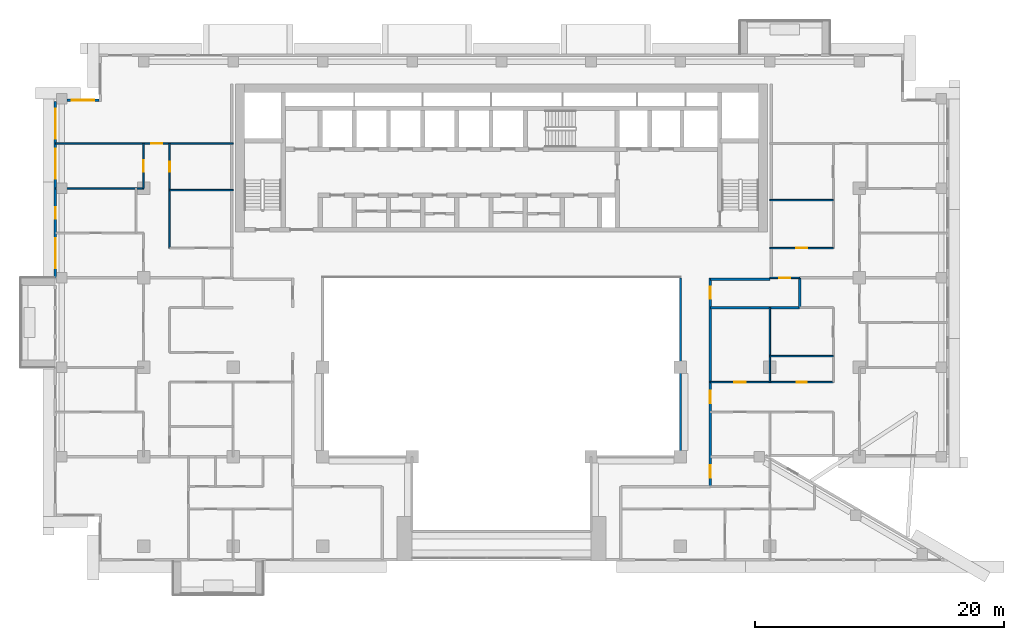
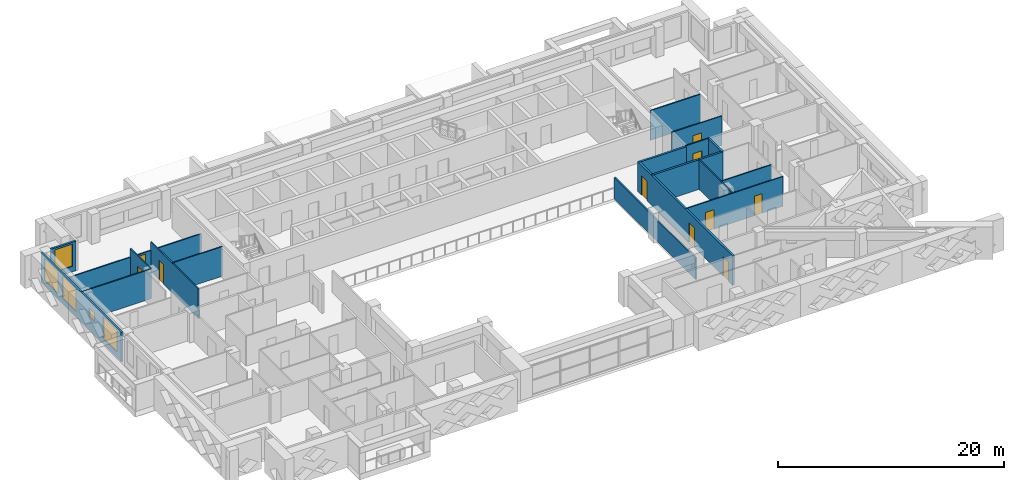
# One storey, part 9 of 20: 18 walls, 10 doors, 5 windows, 15 openings.
"""IFC4 building model written with IfcOpenShell, lengths in metres."""

from ifc_helpers import new_model, si_unit, direction, frame, frame_2d, origin, place, context, subcontext, project, spatial, rectangle, extrude, material, layer, layer_set, type_object, element, fill, save


model = new_model("IFC4")

# Units and contexts
model_context = context("Model", 3, precision=1e-05, world=origin(), true_north=direction((0.0, 1.0)))
body_context = subcontext(model_context, "Body", "Model", "MODEL_VIEW")
ifc_project = project(units=[si_unit("LENGTHUNIT", "METRE"), si_unit("AREAUNIT", "SQUARE_METRE"), si_unit("VOLUMEUNIT", "CUBIC_METRE"), si_unit("PLANEANGLEUNIT", "RADIAN"), si_unit("MASSUNIT", "GRAM", prefix="KILO")], contexts=[model_context])

# Site, building, storey
site_placement = place(None, origin())
site = spatial("IfcSite", under=ifc_project, at=site_placement, CompositionType="ELEMENT")
building_placement = place(site_placement, origin())
building = spatial("IfcBuilding", under=site, at=building_placement, Name="Saffron Iwan Residences", CompositionType="ELEMENT")
storey_placement = place(building_placement, frame((0.0, 0.0, 164.0)))
storey = spatial("IfcBuildingStorey", under=building, at=storey_placement, Name="L43", CompositionType="ELEMENT", Elevation=164.0)

# Wall
ifc_material_1 = material(Name="Fire-rated glazing", Category="glass")
ifc_layer_1 = layer(ifc_material_1, 0.14990234375)
ifc_layer_set_1 = layer_set([ifc_layer_1], Name="Fire-rated glazing")
wall_type_1 = type_object("IfcWallType", Name="Atrium glazed screen 150", PredefinedType="SOLIDWALL", material=ifc_layer_set_1)
wall_1_placement = place(storey_placement, frame((64.800048828125, 48.0, 0.0), z_axis=(0.0, 0.0, 1.0), x_axis=(0.0, 1.0, 0.0)))
element("IfcWall", 1, at=wall_1_placement, inside=storey, type_object=wall_type_1, Name="W-L43-SCREEN-v64.8-48", PredefinedType="SOLIDWALL", context=body_context, shape_type="SweptSolid", body=[
    extrude(rectangle(XDim=14.39990234375, YDim=0.14990234375, at=frame_2d((7.199951171875, 0.0))), origin(), (0.0, 0.0, 1.0), 2.300048828125),
])

# Wall, opening, window
ifc_material_2 = material(Name="Concrete C40/50", Category="concrete")
ifc_layer_2 = layer(ifc_material_2, 0.199951171875)
ifc_layer_set_2 = layer_set([ifc_layer_2], Name="Concrete C40/50")
wall_type_2 = type_object("IfcWallType", Name="EXTERNAL WALL 200", PredefinedType="SOLIDWALL", material=ifc_layer_set_2)
wall_2_placement = place(storey_placement, frame((18.0, 76.699951171875, 0.0), z_axis=(0.0, 0.0, 1.0), x_axis=(-1.0, 0.0, 0.0)))
wall_2 = element("IfcWall", 2, at=wall_2_placement, inside=storey, type_object=wall_type_2, Name="External wall L43 F7.0", PredefinedType="SOLIDWALL", context=body_context, shape_type="SweptSolid", body=[
    extrude(rectangle(XDim=2.574951171875, YDim=0.199951171875, at=frame_2d((1.28759765625, 0.0))), origin(), (0.0, 0.0, 1.0), 3.199951171875),
])
opening_1_placement = place(wall_2_placement, frame((0.387451171875, 0.0, 0.60009765625)))
opening_1 = element("IfcOpeningElement", 3, at=opening_1_placement, cuts=wall_2, Name="Opening W8", PredefinedType="OPENING", context=body_context, shape_type="SweptSolid", body=[
    extrude(rectangle(XDim=1.800048828125, YDim=2.39990234375, at=frame_2d((0.89990234375, 1.199951171875))), frame((0.0, 0.10986328125, 0.0), z_axis=(0.0, -1.0, 0.0), x_axis=(1.0, 0.0, 0.0)), (0.0, 0.0, 1.0), 0.219970703125),
])
ifc_material_3 = material(Name="Clear glass, laminated double glazed", Category="glass")
window_type_1 = type_object("IfcWindowType", Name="WINDOW 1800 x 2400", PartitioningType="DOUBLE_PANEL_VERTICAL", PredefinedType="WINDOW", material=ifc_material_3)
window_1_placement = place(opening_1_placement, origin())
window_1 = element("IfcWindow", 4, at=window_1_placement, inside=storey, type_object=window_type_1, Name="Window L43 F7.0", OverallHeight=2.39990234375, OverallWidth=1.800048828125, PartitioningType="DOUBLE_PANEL_VERTICAL", PredefinedType="WINDOW", context=body_context, shape_type="SweptSolid", body=[
    extrude(rectangle(XDim=1.800048828125, YDim=2.39990234375, at=frame_2d((0.89990234375, 1.199951171875))), frame((0.0, 0.030029296875, 0.0), z_axis=(0.0, -1.0, 0.0), x_axis=(1.0, 0.0, 0.0)), (0.0, 0.0, 1.0), 0.06005859375),
])
fill(opening_1, window_1)

# Wall, openings, windows
wall_3_placement = place(storey_placement, frame((14.5, 76.60009765625, 0.0), z_axis=(0.0, 0.0, 1.0), x_axis=(0.0, -1.0, 0.0)))
wall_3 = element("IfcWall", 5, at=wall_3_placement, inside=storey, type_object=wall_type_2, Name="External wall L43 F8.0", PredefinedType="SOLIDWALL", context=body_context, shape_type="SweptSolid", body=[
    extrude(rectangle(XDim=14.2001953125, YDim=0.199951171875, at=frame_2d((7.10009765625, 0.0))), origin(), (0.0, 0.0, 1.0), 3.199951171875),
])
opening_2_placement = place(wall_3_placement, frame((11.012451171875, 0.0, 0.60009765625)))
opening_2 = element("IfcOpeningElement", 6, at=opening_2_placement, cuts=wall_3, Name="Opening W1", PredefinedType="OPENING", context=body_context, shape_type="SweptSolid", body=[
    extrude(rectangle(XDim=2.39990234375, YDim=2.39990234375, at=frame_2d((1.199951171875, 1.199951171875))), frame((0.0, 0.10986328125, 0.0), z_axis=(0.0, -1.0, 0.0), x_axis=(1.0, 0.0, 0.0)), (0.0, 0.0, 1.0), 0.219970703125),
])
opening_3_placement = place(wall_3_placement, frame((8.53759765625, 0.0, 1.5)))
opening_3 = element("IfcOpeningElement", 7, at=opening_3_placement, cuts=wall_3, Name="Opening W6", PredefinedType="OPENING", context=body_context, shape_type="SweptSolid", body=[
    extrude(rectangle(XDim=0.89990234375, YDim=0.89990234375, at=frame_2d((0.449951171875, 0.449951171875))), frame((0.0, 0.10986328125, 0.0), z_axis=(0.0, -1.0, 0.0), x_axis=(1.0, 0.0, 0.0)), (0.0, 0.0, 1.0), 0.219970703125),
])
opening_4_placement = place(wall_3_placement, frame((3.8125, 0.0, 0.60009765625)))
opening_4 = element("IfcOpeningElement", 8, at=opening_4_placement, cuts=wall_3, Name="Opening W1", PredefinedType="OPENING", context=body_context, shape_type="SweptSolid", body=[
    extrude(rectangle(XDim=2.39990234375, YDim=2.39990234375, at=frame_2d((1.199951171875, 1.199951171875))), frame((0.0, 0.10986328125, 0.0), z_axis=(0.0, -1.0, 0.0), x_axis=(1.0, 0.0, 0.0)), (0.0, 0.0, 1.0), 0.219970703125),
])
opening_5_placement = place(wall_3_placement, frame((0.60009765625, 0.0, 0.60009765625)))
opening_5 = element("IfcOpeningElement", 9, at=opening_5_placement, cuts=wall_3, Name="Opening W1", PredefinedType="OPENING", context=body_context, shape_type="SweptSolid", body=[
    extrude(rectangle(XDim=2.39990234375, YDim=2.39990234375, at=frame_2d((1.199951171875, 1.199951171875))), frame((0.0, 0.10986328125, 0.0), z_axis=(0.0, -1.0, 0.0), x_axis=(1.0, 0.0, 0.0)), (0.0, 0.0, 1.0), 0.219970703125),
])
window_type_2 = type_object("IfcWindowType", Name="WINDOW 2400 x 2400", PartitioningType="DOUBLE_PANEL_VERTICAL", PredefinedType="WINDOW", material=ifc_material_3)
window_2_placement = place(opening_2_placement, origin())
window_2 = element("IfcWindow", 10, at=window_2_placement, inside=storey, type_object=window_type_2, Name="Window L43 F8.0", OverallHeight=2.39990234375, OverallWidth=2.39990234375, PartitioningType="DOUBLE_PANEL_VERTICAL", PredefinedType="WINDOW", context=body_context, shape_type="SweptSolid", body=[
    extrude(rectangle(XDim=2.39990234375, YDim=2.39990234375, at=frame_2d((1.199951171875, 1.199951171875))), frame((0.0, 0.030029296875, 0.0), z_axis=(0.0, -1.0, 0.0), x_axis=(1.0, 0.0, 0.0)), (0.0, 0.0, 1.0), 0.06005859375),
])
fill(opening_2, window_2)
window_3_placement = place(opening_4_placement, origin())
window_3 = element("IfcWindow", 11, at=window_3_placement, inside=storey, type_object=window_type_2, Name="Window L43 F8.2", OverallHeight=2.39990234375, OverallWidth=2.39990234375, PartitioningType="DOUBLE_PANEL_VERTICAL", PredefinedType="WINDOW", context=body_context, shape_type="SweptSolid", body=[
    extrude(rectangle(XDim=2.39990234375, YDim=2.39990234375, at=frame_2d((1.199951171875, 1.199951171875))), frame((0.0, 0.030029296875, 0.0), z_axis=(0.0, -1.0, 0.0), x_axis=(1.0, 0.0, 0.0)), (0.0, 0.0, 1.0), 0.06005859375),
])
fill(opening_4, window_3)
window_4_placement = place(opening_5_placement, origin())
window_4 = element("IfcWindow", 12, at=window_4_placement, inside=storey, type_object=window_type_2, Name="Window L43 F8.3", OverallHeight=2.39990234375, OverallWidth=2.39990234375, PartitioningType="DOUBLE_PANEL_VERTICAL", PredefinedType="WINDOW", context=body_context, shape_type="SweptSolid", body=[
    extrude(rectangle(XDim=2.39990234375, YDim=2.39990234375, at=frame_2d((1.199951171875, 1.199951171875))), frame((0.0, 0.030029296875, 0.0), z_axis=(0.0, -1.0, 0.0), x_axis=(1.0, 0.0, 0.0)), (0.0, 0.0, 1.0), 0.06005859375),
])
fill(opening_5, window_4)
window_type_3 = type_object("IfcWindowType", Name="WINDOW 900 x 900 BATH", PartitioningType="SINGLE_PANEL", PredefinedType="WINDOW", material=ifc_material_3)
window_5_placement = place(opening_3_placement, origin())
window_5 = element("IfcWindow", 13, at=window_5_placement, inside=storey, type_object=window_type_3, Name="Window L43 F8.1", OverallHeight=0.89990234375, OverallWidth=0.89990234375, PartitioningType="SINGLE_PANEL", PredefinedType="WINDOW", context=body_context, shape_type="SweptSolid", body=[
    extrude(rectangle(XDim=0.89990234375, YDim=0.89990234375, at=frame_2d((0.449951171875, 0.449951171875))), frame((0.0, 0.030029296875, 0.0), z_axis=(0.0, -1.0, 0.0), x_axis=(1.0, 0.0, 0.0)), (0.0, 0.0, 1.0), 0.06005859375),
])
fill(opening_3, window_5)

# Walls
ifc_material_4 = material(Name="Fire-rated gypsum board wall")
ifc_layer_3 = layer(ifc_material_4, 0.199951171875)
ifc_layer_set_3 = layer_set([ifc_layer_3], Name="Fire-rated gypsum board wall")
wall_type_3 = type_object("IfcWallType", Name="Flat demising wall 200", PredefinedType="SOLIDWALL", material=ifc_layer_set_3)
wall_4_placement = place(storey_placement, frame((67.199951171875, 60.0, 0.0), z_axis=(0.0, 0.0, 1.0), x_axis=(1.0, 0.0, 0.0)))
element("IfcWall", 14, at=wall_4_placement, inside=storey, type_object=wall_type_3, Name="W-L43-DEMISE-h60-67.2", PredefinedType="SOLIDWALL", context=body_context, shape_type="SweptSolid", body=[
    extrude(rectangle(XDim=7.199951171875, YDim=0.199951171875, at=frame_2d((3.60009765625, 0.0))), origin(), (0.0, 0.0, 1.0), 3.199951171875),
])
wall_5_placement = place(storey_placement, frame((74.39990234375, 60.0, 0.0), z_axis=(0.0, 0.0, 1.0), x_axis=(0.0, 1.0, 0.0)))
element("IfcWall", 15, at=wall_5_placement, inside=storey, type_object=wall_type_3, Name="W-L43-DEMISE-v74.4-60", PredefinedType="SOLIDWALL", context=body_context, shape_type="SweptSolid", body=[
    extrude(rectangle(XDim=2.39990234375, YDim=0.199951171875, at=frame_2d((1.199951171875, 0.0))), origin(), (0.0, 0.0, 1.0), 3.199951171875),
])

# Wall, openings, doors
ifc_material_5 = material(Name="Gypsum board partition")
ifc_layer_4 = layer(ifc_material_5, 0.1201171875)
ifc_layer_set_4 = layer_set([ifc_layer_4], Name="Gypsum board partition")
wall_type_4 = type_object("IfcWallType", Name="Flat partition 120", PredefinedType="PARTITIONING", material=ifc_layer_set_4)
wall_6_placement = place(storey_placement, frame((67.199951171875, 54.0, 0.0), z_axis=(0.0, 0.0, 1.0), x_axis=(1.0, 0.0, 0.0)))
wall_6 = element("IfcWall", 16, at=wall_6_placement, inside=storey, type_object=wall_type_4, Name="W-L43-PART-h54-67.2", PredefinedType="PARTITIONING", context=body_context, shape_type="SweptSolid", body=[
    extrude(rectangle(XDim=9.900146484375, YDim=0.1201171875, at=frame_2d((4.9501953125, 0.0))), origin(), (0.0, 0.0, 1.0), 3.199951171875),
])
opening_6_placement = place(wall_6_placement, frame((6.949951171875, 0.0, 0.0)))
opening_6 = element("IfcOpeningElement", 17, at=opening_6_placement, cuts=wall_6, Name="Opening FD3", PredefinedType="OPENING", context=body_context, shape_type="SweptSolid", body=[
    extrude(rectangle(XDim=0.800048828125, YDim=2.10009765625, at=frame_2d((0.39990234375, 1.050048828125))), frame((0.0, 0.070068359375, 0.0), z_axis=(0.0, -1.0, 0.0), x_axis=(1.0, 0.0, 0.0)), (0.0, 0.0, 1.0), 0.14013671875),
])
opening_7_placement = place(wall_6_placement, frame((1.949951171875, 0.0, 0.0)))
opening_7 = element("IfcOpeningElement", 18, at=opening_7_placement, cuts=wall_6, Name="Opening FD2", PredefinedType="OPENING", context=body_context, shape_type="SweptSolid", body=[
    extrude(rectangle(XDim=0.89990234375, YDim=2.10009765625, at=frame_2d((0.449951171875, 1.050048828125))), frame((0.0, 0.070068359375, 0.0), z_axis=(0.0, -1.0, 0.0), x_axis=(1.0, 0.0, 0.0)), (0.0, 0.0, 1.0), 0.14013671875),
])
ifc_material_6 = material(Name="Timber door", Category="wood")
door_type_1 = type_object("IfcDoorType", Name="Bathroom door 800", OperationType="NOTDEFINED", PredefinedType="DOOR", material=ifc_material_6)
door_1_placement = place(opening_6_placement, origin())
door_1 = element("IfcDoor", 19, at=door_1_placement, inside=storey, type_object=door_type_1, Name="Door L43-021", OperationType="SINGLE_SWING_RIGHT", OverallHeight=2.10009765625, OverallWidth=0.800048828125, PredefinedType="DOOR", context=body_context, shape_type="SweptSolid", body=[
    extrude(rectangle(XDim=0.800048828125, YDim=2.10009765625, at=frame_2d((0.39990234375, 1.050048828125))), frame((0.0, 0.02490234375, 0.0), z_axis=(0.0, -1.0, 0.0), x_axis=(1.0, 0.0, 0.0)), (0.0, 0.0, 1.0), 0.050048828125),
])
fill(opening_6, door_1)
door_type_2 = type_object("IfcDoorType", Name="Flat door 900", OperationType="NOTDEFINED", PredefinedType="DOOR", material=ifc_material_6)
door_2_placement = place(opening_7_placement, origin())
door_2 = element("IfcDoor", 20, at=door_2_placement, inside=storey, type_object=door_type_2, Name="Door L43-024", OperationType="SINGLE_SWING_RIGHT", OverallHeight=2.10009765625, OverallWidth=0.89990234375, PredefinedType="DOOR", context=body_context, shape_type="SweptSolid", body=[
    extrude(rectangle(XDim=0.89990234375, YDim=2.10009765625, at=frame_2d((0.449951171875, 1.050048828125))), frame((0.0, 0.02490234375, 0.0), z_axis=(0.0, -1.0, 0.0), x_axis=(1.0, 0.0, 0.0)), (0.0, 0.0, 1.0), 0.050048828125),
])
fill(opening_7, door_2)

# Wall
wall_7_placement = place(storey_placement, frame((72.0, 56.10009765625, 0.0), z_axis=(0.0, 0.0, 1.0), x_axis=(1.0, 0.0, 0.0)))
element("IfcWall", 21, at=wall_7_placement, inside=storey, type_object=wall_type_4, Name="W-L43-PART-h56.1-72", PredefinedType="PARTITIONING", context=body_context, shape_type="SweptSolid", body=[
    extrude(rectangle(XDim=5.10009765625, YDim=0.1201171875, at=frame_2d((2.550048828125, 0.0))), origin(), (0.0, 0.0, 1.0), 3.199951171875),
])

# Wall, opening, door
wall_8_placement = place(storey_placement, frame((72.0, 62.39990234375, 0.0), z_axis=(0.0, 0.0, 1.0), x_axis=(1.0, 0.0, 0.0)))
wall_8 = element("IfcWall", 22, at=wall_8_placement, inside=storey, type_object=wall_type_4, Name="W-L43-PART-h62.4-72", PredefinedType="PARTITIONING", context=body_context, shape_type="SweptSolid", body=[
    extrude(rectangle(XDim=2.39990234375, YDim=0.1201171875, at=frame_2d((1.199951171875, 0.0))), origin(), (0.0, 0.0, 1.0), 3.199951171875),
])
opening_8_placement = place(wall_8_placement, frame((0.75, 0.0, 0.0)))
opening_8 = element("IfcOpeningElement", 23, at=opening_8_placement, cuts=wall_8, Name="Opening FD2", PredefinedType="OPENING", context=body_context, shape_type="SweptSolid", body=[
    extrude(rectangle(XDim=0.89990234375, YDim=2.10009765625, at=frame_2d((0.449951171875, 1.050048828125))), frame((0.0, 0.070068359375, 0.0), z_axis=(0.0, -1.0, 0.0), x_axis=(1.0, 0.0, 0.0)), (0.0, 0.0, 1.0), 0.14013671875),
])
door_3_placement = place(opening_8_placement, origin())
door_3 = element("IfcDoor", 24, at=door_3_placement, inside=storey, type_object=door_type_2, Name="Door L43-033", OperationType="SINGLE_SWING_RIGHT", OverallHeight=2.10009765625, OverallWidth=0.89990234375, PredefinedType="DOOR", context=body_context, shape_type="SweptSolid", body=[
    extrude(rectangle(XDim=0.89990234375, YDim=2.10009765625, at=frame_2d((0.449951171875, 1.050048828125))), frame((0.0, 0.02490234375, 0.0), z_axis=(0.0, -1.0, 0.0), x_axis=(1.0, 0.0, 0.0)), (0.0, 0.0, 1.0), 0.050048828125),
])
fill(opening_8, door_3)

wall_9_placement = place(storey_placement, frame((72.0, 64.800048828125, 0.0), z_axis=(0.0, 0.0, 1.0), x_axis=(1.0, 0.0, 0.0)))
wall_9 = element("IfcWall", 25, at=wall_9_placement, inside=storey, type_object=wall_type_4, Name="W-L43-PART-h64.8-72", PredefinedType="PARTITIONING", context=body_context, shape_type="SweptSolid", body=[
    extrude(rectangle(XDim=5.10009765625, YDim=0.1201171875, at=frame_2d((2.550048828125, 0.0))), origin(), (0.0, 0.0, 1.0), 3.199951171875),
])
opening_9_placement = place(wall_9_placement, frame((2.10009765625, 0.0, 0.0)))
opening_9 = element("IfcOpeningElement", 26, at=opening_9_placement, cuts=wall_9, Name="Opening FD2", PredefinedType="OPENING", context=body_context, shape_type="SweptSolid", body=[
    extrude(rectangle(XDim=0.89990234375, YDim=2.10009765625, at=frame_2d((0.449951171875, 1.050048828125))), frame((0.0, 0.070068359375, 0.0), z_axis=(0.0, -1.0, 0.0), x_axis=(1.0, 0.0, 0.0)), (0.0, 0.0, 1.0), 0.14013671875),
])
door_4_placement = place(opening_9_placement, origin())
door_4 = element("IfcDoor", 27, at=door_4_placement, inside=storey, type_object=door_type_2, Name="Door L43-039", OperationType="SINGLE_SWING_RIGHT", OverallHeight=2.10009765625, OverallWidth=0.89990234375, PredefinedType="DOOR", context=body_context, shape_type="SweptSolid", body=[
    extrude(rectangle(XDim=0.89990234375, YDim=2.10009765625, at=frame_2d((0.449951171875, 1.050048828125))), frame((0.0, 0.02490234375, 0.0), z_axis=(0.0, -1.0, 0.0), x_axis=(1.0, 0.0, 0.0)), (0.0, 0.0, 1.0), 0.050048828125),
])
fill(opening_9, door_4)

# Walls
for number, where, z_axis, x_axis, name in (
    (28, (72.0, 68.64990234375, 0.0), (0.0, 0.0, 1.0), (1.0, 0.0, 0.0), "W-L43-PART-h68.65-72"),
    (29, (23.699951171875, 69.449951171875, 0.0), (0.0, 0.0, 1.0), (1.0, 0.0, 0.0), "W-L43-PART-h69.45-23.7"),
):
    element("IfcWall", number, at=place(storey_placement, frame(where, z_axis=z_axis, x_axis=x_axis)), inside=storey, type_object=wall_type_4, Name=name, PredefinedType="PARTITIONING", context=body_context, shape_type="SweptSolid", body=[
        extrude(rectangle(XDim=5.10009765625, YDim=0.1201171875, at=frame_2d((2.550048828125, 0.0))), origin(), (0.0, 0.0, 1.0), 3.199951171875),
    ])
wall_10_placement = place(storey_placement, frame((14.52490234375, 69.60009765625, 0.0), z_axis=(0.0, 0.0, 1.0), x_axis=(1.0, 0.0, 0.0)))
element("IfcWall", 30, at=wall_10_placement, inside=storey, type_object=wall_type_4, Name="W-L43-PART-h69.6-14.525", PredefinedType="PARTITIONING", context=body_context, shape_type="SweptSolid", body=[
    extrude(rectangle(XDim=7.0751953125, YDim=0.1201171875, at=frame_2d((3.53759765625, 0.0))), origin(), (0.0, 0.0, 1.0), 3.199951171875),
])

# Wall, opening, door
wall_11_placement = place(storey_placement, frame((14.52490234375, 73.199951171875, 0.0), z_axis=(0.0, 0.0, 1.0), x_axis=(1.0, 0.0, 0.0)))
wall_11 = element("IfcWall", 31, at=wall_11_placement, inside=storey, type_object=wall_type_4, Name="W-L43-PART-h73.2-14.525", PredefinedType="PARTITIONING", context=body_context, shape_type="SweptSolid", body=[
    extrude(rectangle(XDim=14.275146484375, YDim=0.1201171875, at=frame_2d((7.1376953125, 0.0))), origin(), (0.0, 0.0, 1.0), 2.300048828125),
])
opening_10_placement = place(wall_11_placement, frame((7.675048828125, 0.0, 0.0)))
opening_10 = element("IfcOpeningElement", 32, at=opening_10_placement, cuts=wall_11, Name="Opening FD2", PredefinedType="OPENING", context=body_context, shape_type="SweptSolid", body=[
    extrude(rectangle(XDim=0.89990234375, YDim=2.10009765625, at=frame_2d((0.449951171875, 1.050048828125))), frame((0.0, 0.070068359375, 0.0), z_axis=(0.0, -1.0, 0.0), x_axis=(1.0, 0.0, 0.0)), (0.0, 0.0, 1.0), 0.14013671875),
])
door_5_placement = place(opening_10_placement, origin())
door_5 = element("IfcDoor", 33, at=door_5_placement, inside=storey, type_object=door_type_2, Name="Door L43-030", OperationType="SINGLE_SWING_RIGHT", OverallHeight=2.10009765625, OverallWidth=0.89990234375, PredefinedType="DOOR", context=body_context, shape_type="SweptSolid", body=[
    extrude(rectangle(XDim=0.89990234375, YDim=2.10009765625, at=frame_2d((0.449951171875, 1.050048828125))), frame((0.0, 0.02490234375, 0.0), z_axis=(0.0, -1.0, 0.0), x_axis=(1.0, 0.0, 0.0)), (0.0, 0.0, 1.0), 0.050048828125),
])
fill(opening_10, door_5)

wall_12_placement = place(storey_placement, frame((21.60009765625, 69.60009765625, 0.0), z_axis=(0.0, 0.0, 1.0), x_axis=(0.0, 1.0, 0.0)))
wall_12 = element("IfcWall", 34, at=wall_12_placement, inside=storey, type_object=wall_type_4, Name="W-L43-PART-v21.6-69.6", PredefinedType="PARTITIONING", context=body_context, shape_type="SweptSolid", body=[
    extrude(rectangle(XDim=3.599853515625, YDim=0.1201171875, at=frame_2d((1.7998046875, 0.0))), origin(), (0.0, 0.0, 1.0), 3.199951171875),
])
opening_11_placement = place(wall_12_placement, frame((1.35009765625, 0.0, 0.0)))
opening_11 = element("IfcOpeningElement", 35, at=opening_11_placement, cuts=wall_12, Name="Opening FD2", PredefinedType="OPENING", context=body_context, shape_type="SweptSolid", body=[
    extrude(rectangle(XDim=0.89990234375, YDim=2.10009765625, at=frame_2d((0.449951171875, 1.050048828125))), frame((0.0, 0.070068359375, 0.0), z_axis=(0.0, -1.0, 0.0), x_axis=(1.0, 0.0, 0.0)), (0.0, 0.0, 1.0), 0.14013671875),
])
door_6_placement = place(opening_11_placement, origin())
door_6 = element("IfcDoor", 36, at=door_6_placement, inside=storey, type_object=door_type_2, Name="Door L43-029", OperationType="SINGLE_SWING_LEFT", OverallHeight=2.10009765625, OverallWidth=0.89990234375, PredefinedType="DOOR", context=body_context, shape_type="SweptSolid", body=[
    extrude(rectangle(XDim=0.89990234375, YDim=2.10009765625, at=frame_2d((0.449951171875, 1.050048828125))), frame((0.0, 0.02490234375, 0.0), z_axis=(0.0, -1.0, 0.0), x_axis=(1.0, 0.0, 0.0)), (0.0, 0.0, 1.0), 0.050048828125),
])
fill(opening_11, door_6)

wall_13_placement = place(storey_placement, frame((23.699951171875, 64.800048828125, 0.0), z_axis=(0.0, 0.0, 1.0), x_axis=(0.0, 1.0, 0.0)))
wall_13 = element("IfcWall", 37, at=wall_13_placement, inside=storey, type_object=wall_type_4, Name="W-L43-PART-v23.7-64.8", PredefinedType="PARTITIONING", context=body_context, shape_type="SweptSolid", body=[
    extrude(rectangle(XDim=8.39990234375, YDim=0.1201171875, at=frame_2d((4.199951171875, 0.0))), origin(), (0.0, 0.0, 1.0), 3.199951171875),
])
opening_12_placement = place(wall_13_placement, frame((6.125, 0.0, 0.0)))
opening_12 = element("IfcOpeningElement", 38, at=opening_12_placement, cuts=wall_13, Name="Opening FD3", PredefinedType="OPENING", context=body_context, shape_type="SweptSolid", body=[
    extrude(rectangle(XDim=0.800048828125, YDim=2.10009765625, at=frame_2d((0.39990234375, 1.050048828125))), frame((0.0, 0.070068359375, 0.0), z_axis=(0.0, -1.0, 0.0), x_axis=(1.0, 0.0, 0.0)), (0.0, 0.0, 1.0), 0.14013671875),
])
door_7_placement = place(opening_12_placement, origin())
door_7 = element("IfcDoor", 39, at=door_7_placement, inside=storey, type_object=door_type_1, Name="Door L43-032", OperationType="SINGLE_SWING_LEFT", OverallHeight=2.10009765625, OverallWidth=0.800048828125, PredefinedType="DOOR", context=body_context, shape_type="SweptSolid", body=[
    extrude(rectangle(XDim=0.800048828125, YDim=2.10009765625, at=frame_2d((0.39990234375, 1.050048828125))), frame((0.0, 0.02490234375, 0.0), z_axis=(0.0, -1.0, 0.0), x_axis=(1.0, 0.0, 0.0)), (0.0, 0.0, 1.0), 0.050048828125),
])
fill(opening_12, door_7)

# Walls
wall_14_placement = place(storey_placement, frame((72.0, 54.0, 0.0), z_axis=(0.0, 0.0, 1.0), x_axis=(0.0, 1.0, 0.0)))
element("IfcWall", 40, at=wall_14_placement, inside=storey, type_object=wall_type_4, Name="W-L43-PART-v72-54", PredefinedType="PARTITIONING", context=body_context, shape_type="SweptSolid", body=[
    extrude(rectangle(XDim=6.0, YDim=0.1201171875, at=frame_2d((3.0, 0.0))), origin(), (0.0, 0.0, 1.0), 3.199951171875),
])
ifc_layer_5 = layer(ifc_material_4, 0.199951171875)
ifc_layer_set_5 = layer_set([ifc_layer_5], Name="Fire-rated gypsum board wall")
wall_type_5 = type_object("IfcWallType", Name="Gallery wall 200", PredefinedType="SOLIDWALL", material=ifc_layer_set_5)
wall_15_placement = place(storey_placement, frame((67.199951171875, 62.300048828125, 0.0), z_axis=(0.0, 0.0, 1.0), x_axis=(1.0, 0.0, 0.0)))
element("IfcWall", 41, at=wall_15_placement, inside=storey, type_object=wall_type_5, Name="W-L43-CORR-h62.4-67.2", PredefinedType="SOLIDWALL", context=body_context, shape_type="SweptSolid", body=[
    extrude(rectangle(XDim=4.800048828125, YDim=0.199951171875, at=frame_2d((2.39990234375, 0.0))), origin(), (0.0, 0.0, 1.0), 3.199951171875),
])

# Wall, openings, doors
wall_16_placement = place(storey_placement, frame((67.199951171875, 45.60009765625, 0.0), z_axis=(0.0, 0.0, 1.0), x_axis=(0.0, 1.0, 0.0)))
wall_16 = element("IfcWall", 42, at=wall_16_placement, inside=storey, type_object=wall_type_5, Name="W-L43-CORR-v67.2-45.6", PredefinedType="SOLIDWALL", context=body_context, shape_type="SweptSolid", body=[
    extrude(rectangle(XDim=16.7998046875, YDim=0.199951171875, at=frame_2d((8.39990234375, 0.0))), origin(), (0.0, 0.0, 1.0), 3.199951171875),
])
opening_13_placement = place(wall_16_placement, frame((6.699951171875, 0.0, 0.0)))
opening_13 = element("IfcOpeningElement", 43, at=opening_13_placement, cuts=wall_16, Name="Opening FD1", PredefinedType="OPENING", context=body_context, shape_type="SweptSolid", body=[
    extrude(rectangle(XDim=1.0, YDim=2.10009765625, at=frame_2d((0.5, 1.050048828125))), frame((0.0, 0.10986328125, 0.0), z_axis=(0.0, -1.0, 0.0), x_axis=(1.0, 0.0, 0.0)), (0.0, 0.0, 1.0), 0.219970703125),
])
opening_14_placement = place(wall_16_placement, frame((15.10009765625, 0.0, 0.0)))
opening_14 = element("IfcOpeningElement", 44, at=opening_14_placement, cuts=wall_16, Name="Opening FD5", PredefinedType="OPENING", context=body_context, shape_type="SweptSolid", body=[
    extrude(rectangle(XDim=1.0, YDim=2.10009765625, at=frame_2d((0.5, 1.050048828125))), frame((0.0, 0.10986328125, 0.0), z_axis=(0.0, -1.0, 0.0), x_axis=(1.0, 0.0, 0.0)), (0.0, 0.0, 1.0), 0.219970703125),
])
opening_15_placement = place(wall_16_placement, frame((0.699951171875, 0.0, 0.0)))
opening_15 = element("IfcOpeningElement", 45, at=opening_15_placement, cuts=wall_16, Name="Opening FD5", PredefinedType="OPENING", context=body_context, shape_type="SweptSolid", body=[
    extrude(rectangle(XDim=1.0, YDim=2.10009765625, at=frame_2d((0.5, 1.050048828125))), frame((0.0, 0.10986328125, 0.0), z_axis=(0.0, -1.0, 0.0), x_axis=(1.0, 0.0, 0.0)), (0.0, 0.0, 1.0), 0.219970703125),
])
ifc_material_7 = material(Name="Fire-rated timber door", Category="wood")
door_type_3 = type_object("IfcDoorType", Name="FD30S flat entrance door 1000", OperationType="NOTDEFINED", PredefinedType="DOOR", material=ifc_material_7)
door_8_placement = place(opening_13_placement, origin())
door_8 = element("IfcDoor", 46, at=door_8_placement, inside=storey, type_object=door_type_3, Name="Door L43-016", OperationType="SINGLE_SWING_LEFT", OverallHeight=2.10009765625, OverallWidth=1.0, PredefinedType="DOOR", context=body_context, shape_type="SweptSolid", body=[
    extrude(rectangle(XDim=1.0, YDim=2.10009765625, at=frame_2d((0.5, 1.050048828125))), frame((0.0, 0.02490234375, 0.0), z_axis=(0.0, -1.0, 0.0), x_axis=(1.0, 0.0, 0.0)), (0.0, 0.0, 1.0), 0.050048828125),
])
fill(opening_13, door_8)
door_type_4 = type_object("IfcDoorType", Name="Lobby door 1000", OperationType="NOTDEFINED", PredefinedType="DOOR", material=ifc_material_7)
door_9_placement = place(opening_14_placement, origin())
door_9 = element("IfcDoor", 47, at=door_9_placement, inside=storey, type_object=door_type_4, Name="Door L43-034", OperationType="SINGLE_SWING_LEFT", OverallHeight=2.10009765625, OverallWidth=1.0, PredefinedType="DOOR", context=body_context, shape_type="SweptSolid", body=[
    extrude(rectangle(XDim=1.0, YDim=2.10009765625, at=frame_2d((0.5, 1.050048828125))), frame((0.0, 0.02490234375, 0.0), z_axis=(0.0, -1.0, 0.0), x_axis=(1.0, 0.0, 0.0)), (0.0, 0.0, 1.0), 0.050048828125),
])
fill(opening_14, door_9)
door_10_placement = place(opening_15_placement, origin())
door_10 = element("IfcDoor", 48, at=door_10_placement, inside=storey, type_object=door_type_4, Name="Door L43-043", OperationType="SINGLE_SWING_LEFT", OverallHeight=2.10009765625, OverallWidth=1.0, PredefinedType="DOOR", context=body_context, shape_type="SweptSolid", body=[
    extrude(rectangle(XDim=1.0, YDim=2.10009765625, at=frame_2d((0.5, 1.050048828125))), frame((0.0, 0.02490234375, 0.0), z_axis=(0.0, -1.0, 0.0), x_axis=(1.0, 0.0, 0.0)), (0.0, 0.0, 1.0), 0.050048828125),
])
fill(opening_15, door_10)

save(model, "model.ifc")
